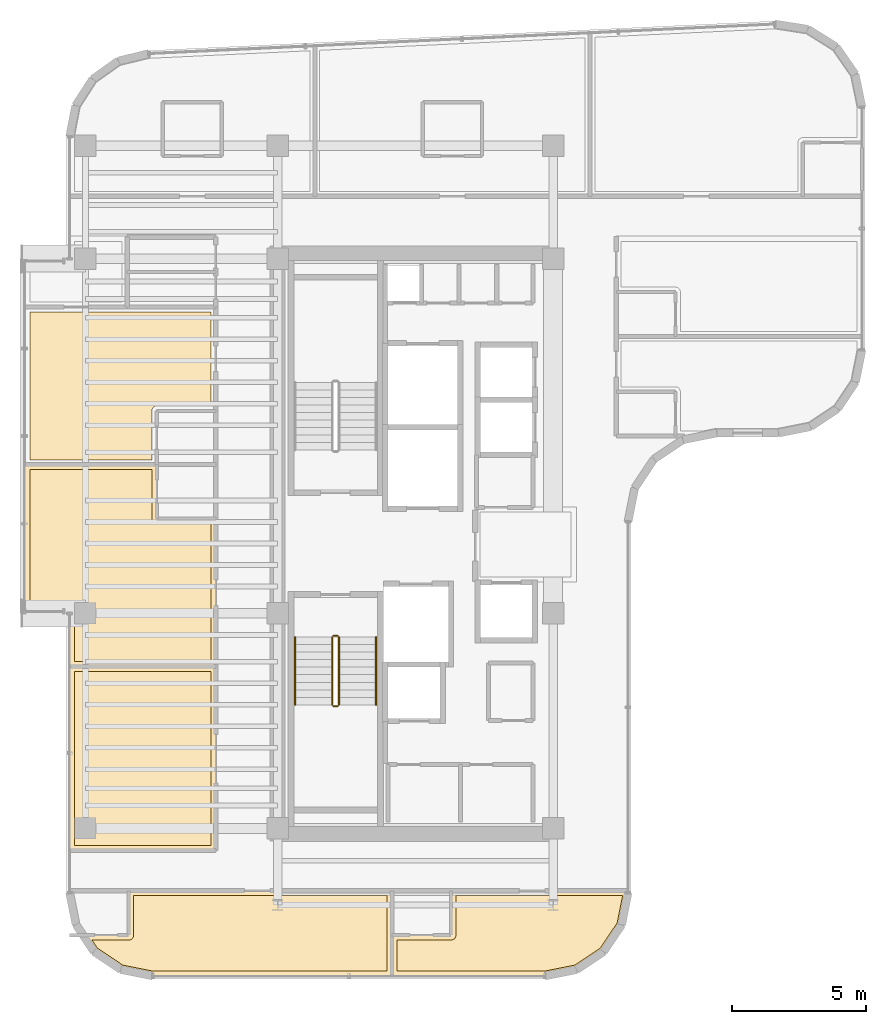
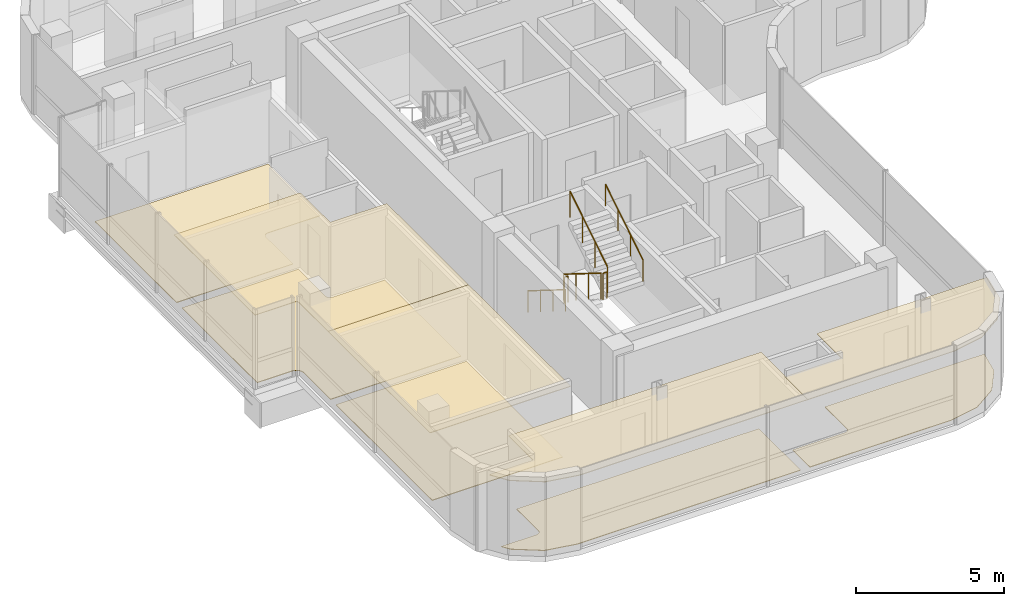
# One storey, part 18 of 20: 9 coverings, 6 railings.
"""IFC4 building model written with IfcOpenShell, lengths in metres."""

from ifc_helpers import new_model, si_unit, direction, frame, origin, origin_2d, place, context, subcontext, project, spatial, polyline, circle, outline, extrude, material, layer, layer_set, type_object, element, save


model = new_model("IFC4")

# Units and contexts
model_context = context("Model", 3, precision=1e-05, world=origin(), true_north=direction((0.0, 1.0)))
body_context = subcontext(model_context, "Body", "Model", "MODEL_VIEW")
ifc_project = project(units=[si_unit("LENGTHUNIT", "METRE"), si_unit("AREAUNIT", "SQUARE_METRE"), si_unit("VOLUMEUNIT", "CUBIC_METRE"), si_unit("PLANEANGLEUNIT", "RADIAN"), si_unit("MASSUNIT", "GRAM", prefix="KILO")], contexts=[model_context])

# Site, building, storey
site_placement = place(None, origin())
site = spatial("IfcSite", under=ifc_project, at=site_placement, CompositionType="ELEMENT")
building_placement = place(site_placement, origin())
building = spatial("IfcBuilding", under=site, at=building_placement, Name="Valdorenza Pilgrim Sanctuary Tower", CompositionType="ELEMENT")
storey_placement = place(building_placement, frame((0.0, 0.0, 244.0)))
storey = spatial("IfcBuildingStorey", under=building, at=storey_placement, Name="L63", CompositionType="ELEMENT", Elevation=244.0)

# Coverings
ifc_material_1 = material(Name="Micro-perforated acoustic mineral ceiling tile", Category="gypsum")
ifc_layer_1 = layer(ifc_material_1, 0.02490234375, Name="Micro-perforated acoustic mineral ceiling tile")
ifc_layer_set_1 = layer_set([ifc_layer_1], Name="Micro-perforated acoustic mineral ceiling tile")
covering_type_1 = type_object("IfcCoveringType", Name="COV-CLG-ACU", PredefinedType="CEILING", material=ifc_layer_set_1)
covering_1_placement = place(storey_placement, frame((0.0, 0.0, 2.9599609375)))
element("IfcCovering", 1, at=covering_1_placement, inside=storey, type_object=covering_type_1, Name="L63 Pilgrim Language Classroom L63 Acoustic Ceiling", PredefinedType="CEILING", context=body_context, shape_type="SweptSolid", body=[
    extrude(outline(polyline([(-24.93505859375, -11.419921875), (-24.93505859375, -11.42138671875), (-24.935302734375, -11.4228515625), (-24.935546875, -11.42431640625), (-24.93603515625, -11.42578125), (-24.936767578125, -11.427001953125), (-24.9375, -11.42822265625), (-24.9384765625, -11.429443359375), (-24.939453125, -11.4306640625), (-24.9404296875, -11.431640625), (-24.941650390625, -11.4326171875), (-24.94287109375, -11.43310546875), (-24.9443359375, -11.433837890625), (-24.945556640625, -11.434326171875), (-24.947021484375, -11.434814453125), (-24.948486328125, -11.434814453125), (-24.949951171875, -11.43505859375), (-30.389892578125, -11.43505859375), (-30.3916015625, -11.434814453125), (-30.392822265625, -11.434814453125), (-30.394287109375, -11.434326171875), (-30.395751953125, -11.433837890625), (-30.397216796875, -11.43310546875), (-30.398193359375, -11.4326171875), (-30.3994140625, -11.431640625), (-30.400634765625, -11.4306640625), (-30.401611328125, -11.429443359375), (-30.402587890625, -11.42822265625), (-30.4033203125, -11.427001953125), (-30.40380859375, -11.42578125), (-30.404296875, -11.42431640625), (-30.40478515625, -11.4228515625), (-30.40478515625, -11.42138671875), (-30.405029296875, -11.419921875), (-30.405029296875, -4.577880859375), (-30.40478515625, -4.576416015625), (-30.40478515625, -4.5751953125), (-30.404296875, -4.573486328125), (-30.40380859375, -4.572265625), (-30.4033203125, -4.57080078125), (-30.402587890625, -4.569580078125), (-30.401611328125, -4.568603515625), (-30.400634765625, -4.5673828125), (-30.3994140625, -4.56640625), (-30.398193359375, -4.5654296875), (-30.397216796875, -4.564697265625), (-30.395751953125, -4.564208984375), (-30.394287109375, -4.563720703125), (-30.392822265625, -4.563232421875), (-30.3916015625, -4.56298828125), (-30.389892578125, -4.56298828125), (-24.949951171875, -4.56298828125), (-24.948486328125, -4.56298828125), (-24.947021484375, -4.563232421875), (-24.945556640625, -4.563720703125), (-24.9443359375, -4.564208984375), (-24.94287109375, -4.564697265625), (-24.941650390625, -4.5654296875), (-24.9404296875, -4.56640625), (-24.939453125, -4.5673828125), (-24.9384765625, -4.568603515625), (-24.9375, -4.569580078125), (-24.936767578125, -4.57080078125), (-24.93603515625, -4.572265625), (-24.935546875, -4.573486328125), (-24.935302734375, -4.5751953125), (-24.93505859375, -4.576416015625), (-24.93505859375, -4.577880859375), (-24.93505859375, -11.419921875)])), origin(), (0.0, 0.0, 1.0), 0.025146484375),
])
covering_2_placement = place(storey_placement, frame((0.0, 0.0, 2.9599609375)))
element("IfcCovering", 2, at=covering_2_placement, inside=storey, type_object=covering_type_1, Name="L63 Pilgrim Guest Room L63-HW1 Acoustic Ceiling", PredefinedType="CEILING", context=body_context, shape_type="SweptSolid", body=[
    extrude(outline(polyline([(-30.405029296875, -2.600341796875), (-30.405517578125, -2.5908203125), (-30.40673828125, -2.58154296875), (-30.4091796875, -2.572509765625), (-30.412109375, -2.563720703125), (-30.416259765625, -2.55517578125), (-30.4208984375, -2.547119140625), (-30.426513671875, -2.539794921875), (-30.432861328125, -2.53271484375), (-30.439697265625, -2.526611328125), (-30.447265625, -2.52099609375), (-30.455078125, -2.51611328125), (-30.463623046875, -2.51220703125), (-30.472412109375, -2.509033203125), (-30.4814453125, -2.5068359375), (-30.49072265625, -2.505615234375), (-30.50048828125, -2.5048828125), (-32.0400390625, -2.5048828125), (-32.04150390625, -2.5048828125), (-32.04296875, -2.504638671875), (-32.04443359375, -2.50439453125), (-32.045654296875, -2.50390625), (-32.047119140625, -2.503173828125), (-32.04833984375, -2.50244140625), (-32.049560546875, -2.501708984375), (-32.050537109375, -2.50048828125), (-32.051513671875, -2.49951171875), (-32.052490234375, -2.498291015625), (-32.05322265625, -2.4970703125), (-32.053955078125, -2.49560546875), (-32.054443359375, -2.494384765625), (-32.0546875, -2.492919921875), (-32.054931640625, -2.491455078125), (-32.054931640625, -2.489990234375), (-32.054931640625, 2.93603515625), (-32.054931640625, 2.9375), (-32.0546875, 2.93896484375), (-32.054443359375, 2.9404296875), (-32.053955078125, 2.941650390625), (-32.05322265625, 2.943115234375), (-32.052490234375, 2.9443359375), (-32.051513671875, 2.945556640625), (-32.050537109375, 2.946533203125), (-32.049560546875, 2.947509765625), (-32.04833984375, 2.948486328125), (-32.047119140625, 2.94921875), (-32.045654296875, 2.949951171875), (-32.04443359375, 2.950439453125), (-32.04296875, 2.95068359375), (-32.04150390625, 2.950927734375), (-32.0400390625, 2.950927734375), (-27.152099609375, 2.950927734375), (-27.150390625, 2.950927734375), (-27.149169921875, 2.95068359375), (-27.147705078125, 2.950439453125), (-27.146240234375, 2.949951171875), (-27.14501953125, 2.94921875), (-27.143798828125, 2.948486328125), (-27.142578125, 2.947509765625), (-27.141357421875, 2.946533203125), (-27.140380859375, 2.945556640625), (-27.139404296875, 2.9443359375), (-27.138916015625, 2.943115234375), (-27.13818359375, 2.941650390625), (-27.1376953125, 2.9404296875), (-27.13720703125, 2.93896484375), (-27.13720703125, 2.9375), (-27.136962890625, 2.93603515625), (-27.136962890625, 0.948974609375), (-24.949951171875, 0.948974609375), (-24.948486328125, 0.948974609375), (-24.947021484375, 0.94873046875), (-24.945556640625, 0.948486328125), (-24.9443359375, 0.947998046875), (-24.94287109375, 0.947265625), (-24.941650390625, 0.946533203125), (-24.9404296875, 0.945556640625), (-24.939453125, 0.944580078125), (-24.9384765625, 0.943603515625), (-24.9375, 0.9423828125), (-24.936767578125, 0.941162109375), (-24.93603515625, 0.939697265625), (-24.935546875, 0.9384765625), (-24.935302734375, 0.93701171875), (-24.93505859375, 0.935546875), (-24.93505859375, 0.93408203125), (-24.93505859375, -4.575927734375), (-24.93505859375, -4.577392578125), (-24.935302734375, -4.578857421875), (-24.935546875, -4.580322265625), (-24.93603515625, -4.581787109375), (-24.936767578125, -4.5830078125), (-24.9375, -4.584228515625), (-24.9384765625, -4.58544921875), (-24.939453125, -4.586669921875), (-24.9404296875, -4.587646484375), (-24.941650390625, -4.58837890625), (-24.94287109375, -4.589111328125), (-24.9443359375, -4.58984375), (-24.945556640625, -4.59033203125), (-24.947021484375, -4.5908203125), (-24.948486328125, -4.5908203125), (-24.949951171875, -4.591064453125), (-30.389892578125, -4.591064453125), (-30.3916015625, -4.5908203125), (-30.392822265625, -4.5908203125), (-30.394287109375, -4.59033203125), (-30.395751953125, -4.58984375), (-30.397216796875, -4.589111328125), (-30.398193359375, -4.58837890625), (-30.3994140625, -4.587646484375), (-30.400634765625, -4.586669921875), (-30.401611328125, -4.58544921875), (-30.402587890625, -4.584228515625), (-30.4033203125, -4.5830078125), (-30.40380859375, -4.581787109375), (-30.404296875, -4.580322265625), (-30.40478515625, -4.578857421875), (-30.40478515625, -4.577392578125), (-30.405029296875, -4.575927734375), (-30.405029296875, -2.600341796875)])), origin(), (0.0, 0.0, 1.0), 0.025146484375),
])
covering_3_placement = place(storey_placement, frame((0.0, 0.0, 2.9599609375)))
element("IfcCovering", 3, at=covering_3_placement, inside=storey, type_object=covering_type_1, Name="L63 South Guest Room L63-S1 Acoustic Ceiling", PredefinedType="CEILING", context=body_context, shape_type="SweptSolid", body=[
    extrude(outline(polyline([(-28.202880859375, -14.556884765625), (-28.202880859375, -12.919921875), (-28.202880859375, -12.91845703125), (-28.20263671875, -12.9169921875), (-28.202392578125, -12.91552734375), (-28.201904296875, -12.914306640625), (-28.201171875, -12.912841796875), (-28.200439453125, -12.91162109375), (-28.19970703125, -12.910400390625), (-28.198486328125, -12.909423828125), (-28.197509765625, -12.908447265625), (-28.1962890625, -12.907470703125), (-28.195068359375, -12.90673828125), (-28.193603515625, -12.906005859375), (-28.1923828125, -12.905517578125), (-28.19091796875, -12.9052734375), (-28.189453125, -12.905029296875), (-28.18798828125, -12.905029296875), (-18.39990234375, -12.905029296875), (-18.3984375, -12.905029296875), (-18.397216796875, -12.9052734375), (-18.3955078125, -12.905517578125), (-18.394287109375, -12.906005859375), (-18.392822265625, -12.90673828125), (-18.3916015625, -12.907470703125), (-18.390380859375, -12.908447265625), (-18.389404296875, -12.909423828125), (-18.388427734375, -12.910400390625), (-18.387451171875, -12.91162109375), (-18.38671875, -12.912841796875), (-18.385986328125, -12.914306640625), (-18.385498046875, -12.91552734375), (-18.38525390625, -12.9169921875), (-18.385009765625, -12.91845703125), (-18.385009765625, -12.919921875), (-18.385009765625, -16.090087890625), (-18.385009765625, -16.091552734375), (-18.38525390625, -16.093017578125), (-18.385498046875, -16.094482421875), (-18.385986328125, -16.095703125), (-18.38671875, -16.09716796875), (-18.387451171875, -16.098388671875), (-18.388427734375, -16.099609375), (-18.389404296875, -16.1005859375), (-18.390380859375, -16.1015625), (-18.3916015625, -16.1025390625), (-18.392822265625, -16.103271484375), (-18.394287109375, -16.10400390625), (-18.3955078125, -16.1044921875), (-18.397216796875, -16.104736328125), (-18.3984375, -16.10498046875), (-18.39990234375, -16.10498046875), (-27.289306640625, -16.10498046875), (-27.29052734375, -16.10498046875), (-27.2919921875, -16.104736328125), (-28.484619140625, -15.867431640625), (-28.486083984375, -15.8671875), (-28.4873046875, -15.86669921875), (-28.48876953125, -15.865966796875), (-28.489990234375, -15.865234375), (-29.49169921875, -15.19580078125), (-29.492919921875, -15.195068359375), (-29.493896484375, -15.194091796875), (-29.4951171875, -15.19287109375), (-29.495849609375, -15.191650390625), (-29.904296875, -14.580322265625), (-29.9052734375, -14.5791015625), (-29.90576171875, -14.57763671875), (-29.90625, -14.576416015625), (-29.90673828125, -14.574951171875), (-29.906982421875, -14.573486328125), (-29.906982421875, -14.572021484375), (-29.906982421875, -14.570556640625), (-29.90673828125, -14.569091796875), (-29.90625, -14.567626953125), (-29.90576171875, -14.56640625), (-29.9052734375, -14.56494140625), (-29.904296875, -14.563720703125), (-29.903564453125, -14.5625), (-29.902587890625, -14.561279296875), (-29.901611328125, -14.560302734375), (-29.900390625, -14.5595703125), (-29.89892578125, -14.558837890625), (-29.897705078125, -14.55810546875), (-29.896240234375, -14.5576171875), (-29.89501953125, -14.557373046875), (-29.893310546875, -14.55712890625), (-29.89208984375, -14.556884765625), (-28.202880859375, -14.556884765625)])), origin(), (0.0, 0.0, 1.0), 0.025146484375),
])
covering_4_placement = place(storey_placement, frame((0.0, 0.0, 2.9599609375)))
element("IfcCovering", 4, at=covering_4_placement, inside=storey, type_object=covering_type_1, Name="L63 South Guest Room L63-S2 Acoustic Ceiling", PredefinedType="CEILING", context=body_context, shape_type="SweptSolid", body=[
    extrude(outline(polyline([(-16.212890625, -14.556884765625), (-16.212890625, -12.919921875), (-16.212890625, -12.91845703125), (-16.212646484375, -12.9169921875), (-16.21240234375, -12.91552734375), (-16.2119140625, -12.914306640625), (-16.211181640625, -12.912841796875), (-16.21044921875, -12.91162109375), (-16.209716796875, -12.910400390625), (-16.20849609375, -12.909423828125), (-16.20751953125, -12.908447265625), (-16.206298828125, -12.907470703125), (-16.205078125, -12.90673828125), (-16.20361328125, -12.906005859375), (-16.202392578125, -12.905517578125), (-16.200927734375, -12.9052734375), (-16.199462890625, -12.905029296875), (-16.197998046875, -12.905029296875), (-9.610107421875, -12.905029296875), (-9.6083984375, -12.905029296875), (-9.607177734375, -12.9052734375), (-9.605712890625, -12.905517578125), (-9.604248046875, -12.906005859375), (-9.602783203125, -12.90673828125), (-9.601806640625, -12.907470703125), (-9.6005859375, -12.908447265625), (-9.599365234375, -12.909423828125), (-9.598388671875, -12.910400390625), (-9.597412109375, -12.91162109375), (-9.5966796875, -12.912841796875), (-9.59619140625, -12.914306640625), (-9.595703125, -12.91552734375), (-9.59521484375, -12.9169921875), (-9.59521484375, -12.91845703125), (-9.594970703125, -12.919921875), (-9.594970703125, -12.9892578125), (-9.59521484375, -12.990478515625), (-9.59521484375, -12.9921875), (-9.83251953125, -14.1845703125), (-9.8330078125, -14.18603515625), (-9.83349609375, -14.1875), (-9.833984375, -14.188720703125), (-9.834716796875, -14.18994140625), (-10.504150390625, -15.191650390625), (-10.5048828125, -15.19287109375), (-10.506103515625, -15.194091796875), (-10.507080078125, -15.195068359375), (-10.50830078125, -15.19580078125), (-11.510009765625, -15.865234375), (-11.51123046875, -15.865966796875), (-11.5126953125, -15.86669921875), (-11.513916015625, -15.8671875), (-11.515380859375, -15.867431640625), (-12.7080078125, -16.104736328125), (-12.70947265625, -16.10498046875), (-12.710693359375, -16.10498046875), (-18.39794921875, -16.10498046875), (-18.3994140625, -16.10498046875), (-18.40087890625, -16.104736328125), (-18.40234375, -16.1044921875), (-18.40380859375, -16.10400390625), (-18.405029296875, -16.103271484375), (-18.40625, -16.1025390625), (-18.407470703125, -16.1015625), (-18.40869140625, -16.1005859375), (-18.40966796875, -16.099609375), (-18.410400390625, -16.098388671875), (-18.4111328125, -16.09716796875), (-18.411865234375, -16.095703125), (-18.412353515625, -16.094482421875), (-18.41259765625, -16.093017578125), (-18.412841796875, -16.091552734375), (-18.4130859375, -16.090087890625), (-18.4130859375, -14.572021484375), (-18.412841796875, -14.570556640625), (-18.41259765625, -14.569091796875), (-18.412353515625, -14.567626953125), (-18.411865234375, -14.56640625), (-18.4111328125, -14.56494140625), (-18.410400390625, -14.563720703125), (-18.40966796875, -14.5625), (-18.40869140625, -14.561279296875), (-18.407470703125, -14.560302734375), (-18.40625, -14.5595703125), (-18.405029296875, -14.558837890625), (-18.40380859375, -14.55810546875), (-18.40234375, -14.5576171875), (-18.40087890625, -14.557373046875), (-18.3994140625, -14.55712890625), (-18.39794921875, -14.556884765625), (-16.212890625, -14.556884765625)])), origin(), (0.0, 0.0, 1.0), 0.025146484375),
])
ifc_material_2 = material(Name="Engineered European oak timber flooring", Category="wood")
ifc_layer_2 = layer(ifc_material_2, 0.02197265625, Name="Engineered European oak timber flooring")
ifc_layer_set_2 = layer_set([ifc_layer_2], Name="Engineered European oak timber flooring")
covering_type_2 = type_object("IfcCoveringType", Name="COV-FLR-OAK", PredefinedType="FLOORING", material=ifc_layer_set_2)
covering_5_placement = place(storey_placement, origin())
element("IfcCovering", 5, at=covering_5_placement, inside=storey, type_object=covering_type_2, Name="L63 Pilgrim Language Classroom L63 Flooring", PredefinedType="FLOORING", context=body_context, shape_type="SweptSolid", body=[
    extrude(outline(polyline([(-25.1298828125, -11.239990234375), (-30.2099609375, -11.239990234375), (-30.2099609375, -4.758056640625), (-25.1298828125, -4.758056640625), (-25.1298828125, -11.239990234375)])), origin(), (0.0, 0.0, 1.0), 0.02490234375),
])
covering_6_placement = place(storey_placement, origin())
element("IfcCovering", 6, at=covering_6_placement, inside=storey, type_object=covering_type_2, Name="L63 Pilgrim Guest Room L63-HW1 Flooring", PredefinedType="FLOORING", context=body_context, shape_type="SweptSolid", body=[
    extrude(outline(polyline([(-30.2099609375, -2.60009765625), (-30.210205078125, -2.59130859375), (-30.210693359375, -2.580322265625), (-30.21240234375, -2.562744140625), (-30.214111328125, -2.552001953125), (-30.217529296875, -2.534912109375), (-30.22021484375, -2.5244140625), (-30.225341796875, -2.50732421875), (-30.22900390625, -2.497314453125), (-30.235595703125, -2.48095703125), (-30.240234375, -2.47119140625), (-30.24853515625, -2.45556640625), (-30.254150390625, -2.4462890625), (-30.263916015625, -2.431640625), (-30.2705078125, -2.423095703125), (-30.281494140625, -2.4091796875), (-30.288818359375, -2.4013671875), (-30.30126953125, -2.388916015625), (-30.309326171875, -2.381591796875), (-30.322998046875, -2.370361328125), (-30.331787109375, -2.364013671875), (-30.34619140625, -2.35400390625), (-30.355712890625, -2.3486328125), (-30.37109375, -2.34033203125), (-30.380859375, -2.335693359375), (-30.397216796875, -2.328857421875), (-30.407470703125, -2.3251953125), (-30.42431640625, -2.320068359375), (-30.434814453125, -2.3173828125), (-30.4521484375, -2.314208984375), (-30.462890625, -2.3125), (-30.48046875, -2.310791015625), (-30.4912109375, -2.310302734375), (-30.5, -2.31005859375), (-31.860107421875, -2.31005859375), (-31.860107421875, 2.756103515625), (-27.33203125, 2.756103515625), (-27.33203125, 0.93603515625), (-27.331787109375, 0.92724609375), (-27.331787109375, 0.927001953125), (-27.330078125, 0.909423828125), (-27.330078125, 0.9091796875), (-27.32666015625, 0.891845703125), (-27.326416015625, 0.8916015625), (-27.3212890625, 0.874755859375), (-27.3212890625, 0.87451171875), (-27.314697265625, 0.8583984375), (-27.314453125, 0.858154296875), (-27.30615234375, 0.842529296875), (-27.30615234375, 0.84228515625), (-27.296142578125, 0.82763671875), (-27.296142578125, 0.827392578125), (-27.284912109375, 0.81396484375), (-27.284912109375, 0.813720703125), (-27.272216796875, 0.80126953125), (-27.272216796875, 0.801025390625), (-27.258544921875, 0.789794921875), (-27.25830078125, 0.789794921875), (-27.24365234375, 0.77978515625), (-27.243408203125, 0.77978515625), (-27.227783203125, 0.771484375), (-27.227783203125, 0.771484375), (-27.21142578125, 0.7646484375), (-27.211181640625, 0.7646484375), (-27.1943359375, 0.759521484375), (-27.194091796875, 0.759521484375), (-27.1767578125, 0.756103515625), (-27.176513671875, 0.756103515625), (-27.158935546875, 0.754150390625), (-27.15869140625, 0.754150390625), (-27.14990234375, 0.75390625), (-25.1298828125, 0.75390625), (-25.1298828125, -4.39599609375), (-30.2099609375, -4.39599609375), (-30.2099609375, -2.60009765625)])), origin(), (0.0, 0.0, 1.0), 0.02490234375),
])
covering_7_placement = place(storey_placement, origin())
element("IfcCovering", 7, at=covering_7_placement, inside=storey, type_object=covering_type_2, Name="L63 Pilgrim Guest Room L63-HW2 Flooring", PredefinedType="FLOORING", context=body_context, shape_type="SweptSolid", body=[
    extrude(outline(polyline([(-28.250244140625, 8.617919921875), (-28.25, 8.617919921875), (-25.1298828125, 8.617919921875), (-25.1298828125, 5.117919921875), (-27.14990234375, 5.117919921875), (-27.15869140625, 5.117919921875), (-27.158935546875, 5.117919921875), (-27.176513671875, 5.115966796875), (-27.1767578125, 5.115966796875), (-27.194091796875, 5.112548828125), (-27.1943359375, 5.112548828125), (-27.211181640625, 5.107421875), (-27.21142578125, 5.107421875), (-27.227783203125, 5.1005859375), (-27.227783203125, 5.1005859375), (-27.243408203125, 5.09228515625), (-27.24365234375, 5.092041015625), (-27.25830078125, 5.082275390625), (-27.258544921875, 5.08203125), (-27.272216796875, 5.07080078125), (-27.272216796875, 5.07080078125), (-27.284912109375, 5.058349609375), (-27.284912109375, 5.05810546875), (-27.296142578125, 5.04443359375), (-27.296142578125, 5.044189453125), (-27.30615234375, 5.029541015625), (-27.30615234375, 5.029541015625), (-27.314453125, 5.013916015625), (-27.314697265625, 5.013671875), (-27.3212890625, 4.997314453125), (-27.3212890625, 4.997314453125), (-27.326416015625, 4.980224609375), (-27.32666015625, 4.97998046875), (-27.330078125, 4.962890625), (-27.330078125, 4.962646484375), (-27.331787109375, 4.945068359375), (-27.331787109375, 4.94482421875), (-27.33203125, 4.93603515625), (-27.33203125, 3.117919921875), (-31.860107421875, 3.117919921875), (-31.860107421875, 8.617919921875), (-28.251953125, 8.617919921875), (-28.2509765625, 8.617919921875), (-28.250244140625, 8.617919921875)])), origin(), (0.0, 0.0, 1.0), 0.02490234375),
])
covering_8_placement = place(storey_placement, origin())
element("IfcCovering", 8, at=covering_8_placement, inside=storey, type_object=covering_type_2, Name="L63 South Guest Room L63-S1 Flooring", PredefinedType="FLOORING", context=body_context, shape_type="SweptSolid", body=[
    extrude(outline(polyline([(-27.271484375, -15.909912109375), (-28.411376953125, -15.68310546875), (-29.353515625, -15.0537109375), (-29.55517578125, -14.751953125), (-28.18994140625, -14.751953125), (-28.18115234375, -14.751708984375), (-28.180908203125, -14.751708984375), (-28.163330078125, -14.75), (-28.1630859375, -14.75), (-28.14599609375, -14.74658203125), (-28.145751953125, -14.74658203125), (-28.12890625, -14.741455078125), (-28.128662109375, -14.7412109375), (-28.1123046875, -14.734619140625), (-28.112060546875, -14.734619140625), (-28.096435546875, -14.726318359375), (-28.096435546875, -14.72607421875), (-28.081787109375, -14.71630859375), (-28.08154296875, -14.716064453125), (-28.06787109375, -14.704833984375), (-28.067626953125, -14.704833984375), (-28.05517578125, -14.6923828125), (-28.05517578125, -14.692138671875), (-28.0439453125, -14.678466796875), (-28.043701171875, -14.67822265625), (-28.033935546875, -14.66357421875), (-28.03369140625, -14.66357421875), (-28.025390625, -14.64794921875), (-28.025390625, -14.647705078125), (-28.018798828125, -14.63134765625), (-28.0185546875, -14.631103515625), (-28.013427734375, -14.6142578125), (-28.013427734375, -14.614013671875), (-28.010009765625, -14.5966796875), (-28.010009765625, -14.5966796875), (-28.00830078125, -14.5791015625), (-28.00830078125, -14.578857421875), (-28.008056640625, -14.570068359375), (-28.008056640625, -13.10009765625), (-18.580078125, -13.10009765625), (-18.580078125, -15.909912109375), (-27.271484375, -15.909912109375)])), origin(), (0.0, 0.0, 1.0), 0.02490234375),
])
covering_9_placement = place(storey_placement, origin())
element("IfcCovering", 9, at=covering_9_placement, inside=storey, type_object=covering_type_2, Name="L63 South Guest Room L63-S2 Flooring", PredefinedType="FLOORING", context=body_context, shape_type="SweptSolid", body=[
    extrude(outline(polyline([(-10.016845703125, -14.111328125), (-10.646484375, -15.0537109375), (-11.588623046875, -15.68310546875), (-12.728515625, -15.909912109375), (-18.218017578125, -15.909912109375), (-18.218017578125, -14.751953125), (-16.199951171875, -14.751953125), (-16.191162109375, -14.751708984375), (-16.19091796875, -14.751708984375), (-16.17333984375, -14.75), (-16.173095703125, -14.75), (-16.156005859375, -14.74658203125), (-16.15576171875, -14.74658203125), (-16.138916015625, -14.741455078125), (-16.138671875, -14.7412109375), (-16.122314453125, -14.734619140625), (-16.1220703125, -14.734619140625), (-16.1064453125, -14.726318359375), (-16.1064453125, -14.72607421875), (-16.091796875, -14.71630859375), (-16.091552734375, -14.716064453125), (-16.077880859375, -14.704833984375), (-16.07763671875, -14.704833984375), (-16.065185546875, -14.6923828125), (-16.065185546875, -14.692138671875), (-16.053955078125, -14.678466796875), (-16.0537109375, -14.67822265625), (-16.0439453125, -14.66357421875), (-16.043701171875, -14.66357421875), (-16.035400390625, -14.64794921875), (-16.035400390625, -14.647705078125), (-16.02880859375, -14.63134765625), (-16.028564453125, -14.631103515625), (-16.0234375, -14.6142578125), (-16.0234375, -14.614013671875), (-16.02001953125, -14.5966796875), (-16.02001953125, -14.5966796875), (-16.018310546875, -14.5791015625), (-16.018310546875, -14.578857421875), (-16.01806640625, -14.570068359375), (-16.01806640625, -13.10009765625), (-9.815673828125, -13.10009765625), (-10.016845703125, -14.111328125)])), origin(), (0.0, 0.0, 1.0), 0.02490234375),
])

# Railings
ifc_material_3 = material(Name="Stainless steel Grade 316", Category="steel")
railing_type_1 = type_object("IfcRailingType", Name="RLG-GRD-1120", PredefinedType="GUARDRAIL", material=ifc_material_3)
railing_1_placement = place(storey_placement, frame((-20.6201171875, -3.47998046875, 0.175048828125)))
element("IfcRailing", 10, at=railing_1_placement, inside=storey, type_object=railing_type_1, Name="L63 ST-A2 stair guard 1", PredefinedType="GUARDRAIL", context=body_context, shape_type="SweptSolid", body=[
    extrude(circle(Radius=0.02392578125, at=origin_2d()), frame((0.0, 0.0, 1.076171875), z_axis=(0.0, -0.848007534815, 0.529984170421), x_axis=(1.0, 0.0, 0.0)), (0.0, 0.0, 1.0), 2.9716796875),
    extrude(circle(Radius=0.02099609375, at=origin_2d()), origin(), (0.0, 0.0, 1.0), 1.052001953125),
    extrude(circle(Radius=0.02099609375, at=origin_2d()), frame((0.0, -0.840087890625, 0.52490234375)), (0.0, 0.0, 1.0), 1.052001953125),
    extrude(circle(Radius=0.02099609375, at=origin_2d()), frame((0.0, -1.679931640625, 1.050048828125)), (0.0, 0.0, 1.0), 1.052001953125),
    extrude(circle(Radius=0.02099609375, at=origin_2d()), frame((0.0, -2.52001953125, 1.574951171875)), (0.0, 0.0, 1.0), 1.052001953125),
])
railing_2_placement = place(storey_placement, frame((-20.570068359375, -6.050048828125, 1.75)))
element("IfcRailing", 11, at=railing_2_placement, inside=storey, type_object=railing_type_1, Name="L63 ST-A2 stair guard 2", PredefinedType="GUARDRAIL", context=body_context, shape_type="SweptSolid", body=[
    extrude(circle(Radius=0.02392578125, at=origin_2d()), frame((0.0, 0.0, 1.076171875), z_axis=(1.0, 0.0, 0.0), x_axis=(0.0, 1.0, 0.0)), (0.0, 0.0, 1.0), 0.150146484375),
    extrude(circle(Radius=0.02099609375, at=origin_2d()), origin(), (0.0, 0.0, 1.0), 1.052001953125),
    extrude(circle(Radius=0.02099609375, at=origin_2d()), frame((0.150146484375, 0.0, 0.0)), (0.0, 0.0, 1.0), 1.052001953125),
])
railing_3_placement = place(storey_placement, frame((-20.3701171875, -6.0, 1.925048828125)))
element("IfcRailing", 12, at=railing_3_placement, inside=storey, type_object=railing_type_1, Name="L63 ST-A2 stair guard 3", PredefinedType="GUARDRAIL", context=body_context, shape_type="SweptSolid", body=[
    extrude(circle(Radius=0.02392578125, at=origin_2d()), frame((0.0, 0.0, 1.076171875), z_axis=(0.0, 0.848007534815, 0.529984170421), x_axis=(-1.0, 0.0, 0.0)), (0.0, 0.0, 1.0), 2.9716796875),
    extrude(circle(Radius=0.02099609375, at=origin_2d()), origin(), (0.0, 0.0, 1.0), 1.052001953125),
    extrude(circle(Radius=0.02099609375, at=origin_2d()), frame((0.0, 0.840087890625, 0.52490234375)), (0.0, 0.0, 1.0), 1.052001953125),
    extrude(circle(Radius=0.02099609375, at=origin_2d()), frame((0.0, 1.679931640625, 1.050048828125)), (0.0, 0.0, 1.0), 1.052001953125),
    extrude(circle(Radius=0.02099609375, at=origin_2d()), frame((0.0, 2.52001953125, 1.574951171875)), (0.0, 0.0, 1.0), 1.052001953125),
])
railing_4_placement = place(storey_placement, frame((-20.570068359375, -3.429931640625, 0.0)))
element("IfcRailing", 13, at=railing_4_placement, inside=storey, type_object=railing_type_1, Name="L63 ST-A2 stair guard 4", PredefinedType="GUARDRAIL", context=body_context, shape_type="SweptSolid", body=[
    extrude(circle(Radius=0.02392578125, at=origin_2d()), frame((0.0, 0.0, 1.076171875), z_axis=(1.0, 0.0, 0.0), x_axis=(0.0, 1.0, 0.0)), (0.0, 0.0, 1.0), 0.150146484375),
    extrude(circle(Radius=0.02099609375, at=origin_2d()), origin(), (0.0, 0.0, 1.0), 1.052001953125),
    extrude(circle(Radius=0.02099609375, at=origin_2d()), frame((0.150146484375, 0.0, 0.0)), (0.0, 0.0, 1.0), 1.052001953125),
])
ifc_material_4 = material(Name="Brushed stainless steel Grade 316", Category="steel")
railing_type_2 = type_object("IfcRailingType", Name="RLG-HND-920", PredefinedType="HANDRAIL", material=ifc_material_4)
railing_5_placement = place(storey_placement, frame((-22.0, -3.47998046875, 0.175048828125)))
element("IfcRailing", 14, at=railing_5_placement, inside=storey, type_object=railing_type_2, Name="L63 ST-A2 stair handrail 1", PredefinedType="HANDRAIL", context=body_context, shape_type="SweptSolid", body=[
    extrude(circle(Radius=0.02392578125, at=origin_2d()), frame((0.0, 0.0, 0.8759765625), z_axis=(0.0, -0.848007534815, 0.529984170421), x_axis=(1.0, 0.0, 0.0)), (0.0, 0.0, 1.0), 2.9716796875),
    extrude(circle(Radius=0.02099609375, at=origin_2d()), origin(), (0.0, 0.0, 1.0), 0.851806640625),
    extrude(circle(Radius=0.02099609375, at=origin_2d()), frame((0.0, -0.840087890625, 0.52490234375)), (0.0, 0.0, 1.0), 0.851806640625),
    extrude(circle(Radius=0.02099609375, at=origin_2d()), frame((0.0, -1.679931640625, 1.050048828125)), (0.0, 0.0, 1.0), 0.851806640625),
    extrude(circle(Radius=0.02099609375, at=origin_2d()), frame((0.0, -2.52001953125, 1.574951171875)), (0.0, 0.0, 1.0), 0.851806640625),
])
railing_6_placement = place(storey_placement, frame((-18.989990234375, -6.0, 1.925048828125)))
element("IfcRailing", 15, at=railing_6_placement, inside=storey, type_object=railing_type_2, Name="L63 ST-A2 stair handrail 2", PredefinedType="HANDRAIL", context=body_context, shape_type="SweptSolid", body=[
    extrude(circle(Radius=0.02392578125, at=origin_2d()), frame((0.0, 0.0, 0.8759765625), z_axis=(0.0, 0.848007534815, 0.529984170421), x_axis=(-1.0, 0.0, 0.0)), (0.0, 0.0, 1.0), 2.9716796875),
    extrude(circle(Radius=0.02099609375, at=origin_2d()), origin(), (0.0, 0.0, 1.0), 0.851806640625),
    extrude(circle(Radius=0.02099609375, at=origin_2d()), frame((0.0, 0.840087890625, 0.52490234375)), (0.0, 0.0, 1.0), 0.851806640625),
    extrude(circle(Radius=0.02099609375, at=origin_2d()), frame((0.0, 1.679931640625, 1.050048828125)), (0.0, 0.0, 1.0), 0.851806640625),
    extrude(circle(Radius=0.02099609375, at=origin_2d()), frame((0.0, 2.52001953125, 1.574951171875)), (0.0, 0.0, 1.0), 0.851806640625),
])

save(model, "model.ifc")
